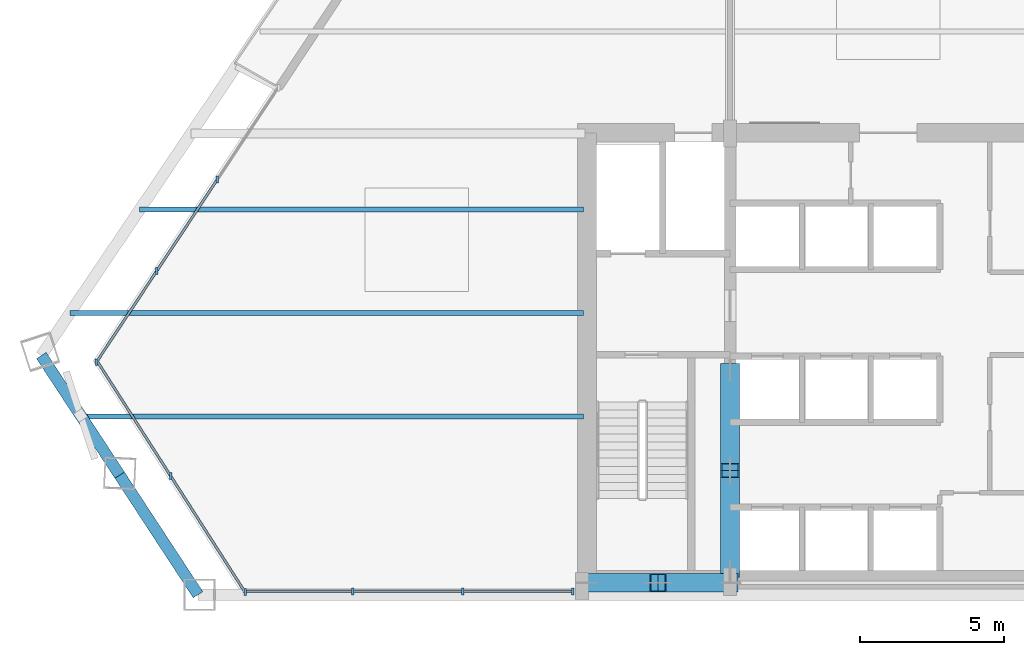
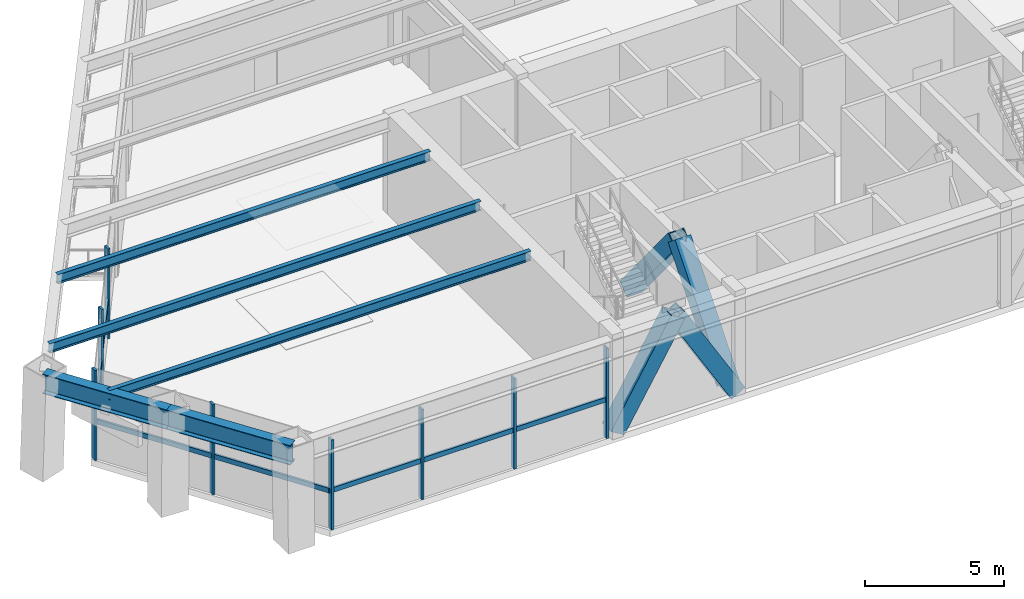
# One storey, part 2 of 12: 19 members, 5 beams, 3 elements without a shape of their own.
"""IFC4 building model written with IfcOpenShell, lengths in metres."""

from ifc_helpers import new_model, si_unit, direction, frame, origin, origin_2d, place, context, subcontext, project, spatial, rectangle, hollow_rectangle, i_section, extrude, source, transform, mapped, material, material_profile, profile_set, type_object, type_shapes, element, aggregate, save


model = new_model("IFC4")

# Units and contexts
model_context = context("Model", 3, precision=1e-05, world=origin(), true_north=direction((0.0, 1.0)))
body_context = subcontext(model_context, "Body", "Model", "MODEL_VIEW")
ifc_project = project(units=[si_unit("LENGTHUNIT", "METRE"), si_unit("AREAUNIT", "SQUARE_METRE"), si_unit("VOLUMEUNIT", "CUBIC_METRE"), si_unit("PLANEANGLEUNIT", "RADIAN"), si_unit("MASSUNIT", "GRAM", prefix="KILO")], contexts=[model_context])

# Site, building, storey
site_placement = place(None, origin())
site = spatial("IfcSite", under=ifc_project, at=site_placement, CompositionType="ELEMENT")
building_placement = place(site_placement, origin())
building = spatial("IfcBuilding", under=site, at=building_placement, Name="Varnakhor Terracotta Tower", CompositionType="ELEMENT")
storey_placement = place(building_placement, frame((0.0, 0.0, 121.0)))
storey = spatial("IfcBuildingStorey", under=building, at=storey_placement, Name="L30", CompositionType="ELEMENT", Elevation=121.0)

# Beams
ifc_material_1 = material(Name="Steel S355", Category="steel")
ifc_material_profile_1 = material_profile(ifc_material_1, i_section(OverallWidth=0.39990234375, OverallDepth=0.85498046875, WebThickness=0.01806640625, FlangeThickness=0.029052734375, FilletRadius=0.01806640625, at=origin_2d()), Name="W33X201")
ifc_profile_set_1 = profile_set([ifc_material_profile_1], Name="Steel S355")
beam_type_1 = type_object("IfcBeamType", Name="BM-W33X201", PredefinedType="BEAM", material=ifc_profile_set_1)
shared_shape_1 = source(origin(), body_context, "Body", "SweptSolid", [
    extrude(i_section(OverallWidth=0.39990234375, OverallDepth=0.85498046875, WebThickness=0.01806640625, FlangeThickness=0.029052734375, FilletRadius=0.01806640625, at=origin_2d()), origin(), (0.0, 0.0, 1.0), 4.97509765625),
])
beam_1_placement = place(storey_placement, frame((-29.46240234375, 8.323486328125, 3.9423828125), z_axis=(0.547898383878, -0.836544894757, 0.0), x_axis=(0.836544894757, 0.547898383878, 0.0)))
element("IfcBeam", 1, at=beam_1_placement, inside=storey, type_object=beam_type_1, Name="L30 Perimeter Spandrel 7", PredefinedType="BEAM", context=body_context, shape_type="MappedRepresentation", body=[
    mapped(shared_shape_1, transform((0.0, 0.0, 0.0), scale=1.0)),
])
shared_shape_2 = source(origin(), body_context, "Body", "SweptSolid", [
    extrude(i_section(OverallWidth=0.39990234375, OverallDepth=0.85498046875, WebThickness=0.01806640625, FlangeThickness=0.029052734375, FilletRadius=0.01806640625, at=origin_2d()), origin(), (0.0, 0.0, 1.0), 4.974609375),
])
beam_2_placement = place(storey_placement, frame((-26.736572265625, 4.16162109375, 3.9423828125), z_axis=(0.547886533604, -0.836552656021, 0.0), x_axis=(0.836552656021, 0.547886533604, 0.0)))
element("IfcBeam", 2, at=beam_2_placement, inside=storey, type_object=beam_type_1, Name="L30 Perimeter Spandrel 8", PredefinedType="BEAM", context=body_context, shape_type="MappedRepresentation", body=[
    mapped(shared_shape_2, transform((0.0, 0.0, 0.0), scale=1.0)),
])
ifc_material_profile_2 = material_profile(ifc_material_1, i_section(OverallWidth=0.179931640625, OverallDepth=0.4130859375, WebThickness=0.009765625, FlangeThickness=0.01611328125, FilletRadius=0.01806640625, at=origin_2d()), Name="W16X50")
ifc_profile_set_2 = profile_set([ifc_material_profile_2], Name="Steel S355")
beam_type_2 = type_object("IfcBeamType", Name="JST-W16X50", PredefinedType="JOIST", material=ifc_profile_set_2)
shared_shape_3 = source(origin(), body_context, "Body", "SweptSolid", [
    extrude(i_section(OverallWidth=0.179931640625, OverallDepth=0.4130859375, WebThickness=0.009765625, FlangeThickness=0.01611328125, FilletRadius=0.01806640625, at=origin_2d()), origin(), (0.0, 0.0, 1.0), 17.471435546875),
])
type_shapes(beam_type_2, [shared_shape_3])
beam_3_placement = place(storey_placement, frame((-28.071533203125, 6.199951171875, 4.16357421875), z_axis=(1.0, 0.0, 0.0), x_axis=(0.0, 1.0, 0.0)))
element("IfcBeam", 3, at=beam_3_placement, inside=storey, type_object=beam_type_2, Name="L30 Floor Joist W1", PredefinedType="JOIST", context=body_context, shape_type="MappedRepresentation", body=[
    mapped(shared_shape_3, transform((0.0, 0.0, 0.0), scale=1.0)),
])
shared_shape_4 = source(origin(), body_context, "Body", "SweptSolid", [
    extrude(i_section(OverallWidth=0.179931640625, OverallDepth=0.4130859375, WebThickness=0.009765625, FlangeThickness=0.01611328125, FilletRadius=0.01806640625, at=origin_2d()), origin(), (0.0, 0.0, 1.0), 17.8671875),
])
beam_4_placement = place(storey_placement, frame((-28.46728515625, 9.800048828125, 4.16357421875), z_axis=(1.0, 0.0, 0.0), x_axis=(0.0, 1.0, 0.0)))
element("IfcBeam", 4, at=beam_4_placement, inside=storey, type_object=beam_type_2, Name="L30 Floor Joist W2", PredefinedType="JOIST", context=body_context, shape_type="MappedRepresentation", body=[
    mapped(shared_shape_4, transform((0.0, 0.0, 0.0), scale=1.0)),
])
shared_shape_5 = source(origin(), body_context, "Body", "SweptSolid", [
    extrude(i_section(OverallWidth=0.179931640625, OverallDepth=0.4130859375, WebThickness=0.009765625, FlangeThickness=0.01611328125, FilletRadius=0.01806640625, at=origin_2d()), origin(), (0.0, 0.0, 1.0), 15.440673828125),
])
beam_5_placement = place(storey_placement, frame((-26.040771484375, 13.39990234375, 4.16357421875), z_axis=(1.0, 0.0, 0.0), x_axis=(0.0, 1.0, 0.0)))
element("IfcBeam", 5, at=beam_5_placement, inside=storey, type_object=beam_type_2, Name="L30 Floor Joist W3", PredefinedType="JOIST", context=body_context, shape_type="MappedRepresentation", body=[
    mapped(shared_shape_5, transform((0.0, 0.0, 0.0), scale=1.0)),
])

# Members
ifc_material_2 = material(Name="Steel S460", Category="steel")
ifc_material_profile_3 = material_profile(ifc_material_2, hollow_rectangle(XDim=0.64990234375, YDim=0.64990234375, WallThickness=0.0400390625, at=origin_2d()), Name="HSS650X650X40")
ifc_profile_set_3 = profile_set([ifc_material_profile_3], Name="Steel S460")
member_type_1 = type_object("IfcMemberType", Name="MBR-MEGA-650", PredefinedType="BRACE", material=ifc_profile_set_3)
shared_shape_6 = source(origin(), body_context, "Body", "SweptSolid", [
    extrude(hollow_rectangle(XDim=0.64990234375, YDim=0.64990234375, WallThickness=0.0400390625, at=origin_2d()), origin(), (0.0, 0.0, 1.0), 4.905029296875),
])
type_shapes(member_type_1, [shared_shape_6])
for number, where, z_axis, x_axis, name in (
    (6, (-10.5, 0.419921875, 0.0), (0.509693235521, 0.0, 0.860356208593), (0.0, 1.0, 0.0), "L30 Core Coupled Brace CSWA"),
    (7, (-5.5, 0.419921875, 0.0), (-0.509693235521, 0.0, 0.860356208593), (0.0, -1.0, 0.0), "L30 Core Coupled Brace CSWB"),
):
    element("IfcMember", number, at=place(storey_placement, frame(where, z_axis=z_axis, x_axis=x_axis)), inside=storey, type_object=member_type_1, Name=name, PredefinedType="BRACE", context=body_context, shape_type="MappedRepresentation", body=[
        mapped(shared_shape_6, transform((0.0, 0.0, 0.0), scale=1.0)),
    ])
shared_shape_7 = source(origin(), body_context, "Body", "SweptSolid", [
    extrude(hollow_rectangle(XDim=0.64990234375, YDim=0.64990234375, WallThickness=0.0400390625, at=origin_2d()), origin(), (0.0, 0.0, 1.0), 5.466552734375),
])
for number, where, z_axis, x_axis, name in (
    (8, (-5.5, 0.85009765625, 0.0), (0.0, 0.635661853954, 0.771967620712), (-1.0, 0.0, 0.0), "L30 Core Coupled Brace CWWA"),
    (9, (-5.5, 7.800048828125, 0.0), (0.0, -0.635688467906, 0.771945705196), (1.0, 0.0, 0.0), "L30 Core Coupled Brace CWWB"),
):
    element("IfcMember", number, at=place(storey_placement, frame(where, z_axis=z_axis, x_axis=x_axis)), inside=storey, type_object=member_type_1, Name=name, PredefinedType="BRACE", context=body_context, shape_type="MappedRepresentation", body=[
        mapped(shared_shape_7, transform((0.0, 0.0, 0.0), scale=1.0)),
    ])

# Curtain wall, members
ifc_material_3 = material(Name="Anodised Aluminium Curtain Wall System", Category="aluminium")
curtain_wall_type = type_object("IfcCurtainWallType", Name="CW-SYS-SKYLOBBY", PredefinedType="NOTDEFINED", material=ifc_material_3)
curtain_wall_1_placement = place(storey_placement, origin())
curtain_wall_1 = element("IfcCurtainWall", 10, at=curtain_wall_1_placement, inside=storey, type_object=curtain_wall_type, Name="L30 W Facet Curtain Wall 1", PredefinedType="NOTDEFINED")
ifc_material_4 = material(Name="Anodised Aluminium 6063-T6", Category="aluminium")
ifc_material_profile_4 = material_profile(ifc_material_4, rectangle(XDim=0.090087890625, YDim=0.239990234375, at=origin_2d()), Name="ALU MULLION 90x240")
ifc_profile_set_4 = profile_set([ifc_material_profile_4], Name="Anodised Aluminium 6063-T6")
member_type_2 = type_object("IfcMemberType", Name="CWM-05", PredefinedType="MULLION", material=ifc_profile_set_4)
shared_shape_8 = source(origin(), body_context, "Body", "SweptSolid", [
    extrude(rectangle(XDim=0.090087890625, YDim=0.239990234375, at=origin_2d()), origin(), (0.0, 0.0, 1.0), 3.949951171875),
])
type_shapes(member_type_2, [shared_shape_8])
member_1_placement = place(storey_placement, frame((-27.547119140625, 8.089111328125, 0.0), z_axis=(0.0, 0.0, 1.0), x_axis=(1.0, 0.0, 0.0)))
member_1 = element("IfcMember", 11, at=member_1_placement, type_object=member_type_2, Name="L30 W Facet Curtain Wall 1 Mullion 1", PredefinedType="MULLION", context=body_context, shape_type="MappedRepresentation", body=[
    mapped(shared_shape_8, transform((0.0, 0.0, 0.0), scale=1.0)),
])
member_2_placement = place(storey_placement, frame((-25.44384765625, 11.268310546875, 0.0), z_axis=(0.0, 0.0, 1.0), x_axis=(1.0, 0.0, 0.0)))
member_2 = element("IfcMember", 12, at=member_2_placement, type_object=member_type_2, Name="L30 W Facet Curtain Wall 1 Mullion 2", PredefinedType="MULLION", context=body_context, shape_type="MappedRepresentation", body=[
    mapped(shared_shape_8, transform((0.0, 0.0, 0.0), scale=1.0)),
])
member_3_placement = place(storey_placement, frame((-23.34033203125, 14.44775390625, 0.0), z_axis=(0.0, 0.0, 1.0), x_axis=(1.0, 0.0, 0.0)))
member_3 = element("IfcMember", 13, at=member_3_placement, type_object=member_type_2, Name="L30 W Facet Curtain Wall 1 Mullion 3", PredefinedType="MULLION", context=body_context, shape_type="MappedRepresentation", body=[
    mapped(shared_shape_8, transform((0.0, 0.0, 0.0), scale=1.0)),
])

curtain_wall_2_placement = place(storey_placement, origin())
curtain_wall_2 = element("IfcCurtainWall", 14, at=curtain_wall_2_placement, inside=storey, type_object=curtain_wall_type, Name="L30 South Wing Curtain Wall SSW", PredefinedType="NOTDEFINED")
member_4_placement = place(storey_placement, frame((-10.969970703125, 0.1201171875, 0.0), z_axis=(0.0, 0.0, 1.0), x_axis=(1.0, 0.0, 0.0)))
member_4 = element("IfcMember", 15, at=member_4_placement, type_object=member_type_2, Name="L30 South Wing Curtain Wall SSW Mullion 1", PredefinedType="MULLION", context=body_context, shape_type="MappedRepresentation", body=[
    mapped(shared_shape_8, transform((0.0, 0.0, 0.0), scale=1.0)),
])
member_5_placement = place(storey_placement, frame((-14.79638671875, 0.1201171875, 0.0), z_axis=(0.0, 0.0, 1.0), x_axis=(1.0, 0.0, 0.0)))
member_5 = element("IfcMember", 16, at=member_5_placement, type_object=member_type_2, Name="L30 South Wing Curtain Wall SSW Mullion 2", PredefinedType="MULLION", context=body_context, shape_type="MappedRepresentation", body=[
    mapped(shared_shape_8, transform((0.0, 0.0, 0.0), scale=1.0)),
])
member_6_placement = place(storey_placement, frame((-18.622802734375, 0.1201171875, 0.0), z_axis=(0.0, 0.0, 1.0), x_axis=(1.0, 0.0, 0.0)))
member_6 = element("IfcMember", 17, at=member_6_placement, type_object=member_type_2, Name="L30 South Wing Curtain Wall SSW Mullion 3", PredefinedType="MULLION", context=body_context, shape_type="MappedRepresentation", body=[
    mapped(shared_shape_8, transform((0.0, 0.0, 0.0), scale=1.0)),
])

curtain_wall_3_placement = place(storey_placement, origin())
curtain_wall_3 = element("IfcCurtainWall", 18, at=curtain_wall_3_placement, inside=storey, type_object=curtain_wall_type, Name="L30 Facet Curtain Wall 6", PredefinedType="NOTDEFINED")
member_7_placement = place(storey_placement, frame((-22.374267578125, 0.090087890625, 0.0), z_axis=(0.0, 0.0, 1.0), x_axis=(1.0, 0.0, 0.0)))
member_7 = element("IfcMember", 19, at=member_7_placement, type_object=member_type_2, Name="L30 Facet Curtain Wall 6 Mullion 1", PredefinedType="MULLION", context=body_context, shape_type="MappedRepresentation", body=[
    mapped(shared_shape_8, transform((0.0, 0.0, 0.0), scale=1.0)),
])
member_8_placement = place(storey_placement, frame((-24.96044921875, 4.1298828125, 0.0), z_axis=(0.0, 0.0, 1.0), x_axis=(1.0, 0.0, 0.0)))
member_8 = element("IfcMember", 20, at=member_8_placement, type_object=member_type_2, Name="L30 Facet Curtain Wall 6 Mullion 2", PredefinedType="MULLION", context=body_context, shape_type="MappedRepresentation", body=[
    mapped(shared_shape_8, transform((0.0, 0.0, 0.0), scale=1.0)),
])

# Member
ifc_material_profile_5 = material_profile(ifc_material_4, rectangle(XDim=0.090087890625, YDim=0.2099609375, at=origin_2d()), Name="ALU TRANSOM 90x210")
ifc_profile_set_5 = profile_set([ifc_material_profile_5], Name="Anodised Aluminium 6063-T6")
member_type_3 = type_object("IfcMemberType", Name="CWT-05", PredefinedType="USERDEFINED", material=ifc_profile_set_5)
shared_shape_9 = source(origin(), body_context, "Body", "SweptSolid", [
    extrude(rectangle(XDim=0.090087890625, YDim=0.2099609375, at=origin_2d()), origin(), (0.0, 0.0, 1.0), 3.81201171875),
])
type_shapes(member_type_3, [shared_shape_9])
member_9_placement = place(storey_placement, frame((-27.547119140625, 8.089111328125, 1.658935546875), z_axis=(0.551755545235, 0.834005886251, 0.0), x_axis=(-0.834005886251, 0.551755545235, 0.0)))
member_9 = element("IfcMember", 21, at=member_9_placement, type_object=member_type_3, Name="L30 W Facet Curtain Wall 1 Transom 1", ObjectType="TRANSOM", PredefinedType="USERDEFINED", context=body_context, shape_type="MappedRepresentation", body=[
    mapped(shared_shape_9, transform((0.0, 0.0, 0.0), scale=1.0)),
])

shared_shape_10 = source(origin(), body_context, "Body", "SweptSolid", [
    extrude(rectangle(XDim=0.090087890625, YDim=0.2099609375, at=origin_2d()), origin(), (0.0, 0.0, 1.0), 3.812255859375),
])
member_10_placement = place(storey_placement, frame((-25.44384765625, 11.268310546875, 1.658935546875), z_axis=(0.551770620116, 0.833995912926, 0.0), x_axis=(-0.833995912926, 0.551770620116, 0.0)))
member_10 = element("IfcMember", 22, at=member_10_placement, type_object=member_type_3, Name="L30 W Facet Curtain Wall 1 Transom 2", ObjectType="TRANSOM", PredefinedType="USERDEFINED", context=body_context, shape_type="MappedRepresentation", body=[
    mapped(shared_shape_10, transform((0.0, 0.0, 0.0), scale=1.0)),
])

aggregate(curtain_wall_1, [member_1, member_9, member_2, member_10, member_3])

shared_shape_11 = source(origin(), body_context, "Body", "SweptSolid", [
    extrude(rectangle(XDim=0.090087890625, YDim=0.2099609375, at=origin_2d()), origin(), (0.0, 0.0, 1.0), 3.826416015625),
])
member_11_placement = place(storey_placement, frame((-10.969970703125, 0.1201171875, 1.658935546875), z_axis=(-1.0, 0.0, 0.0), x_axis=(0.0, -1.0, 0.0)))
member_11 = element("IfcMember", 23, at=member_11_placement, type_object=member_type_3, Name="L30 South Wing Curtain Wall SSW Transom 1", ObjectType="TRANSOM", PredefinedType="USERDEFINED", context=body_context, shape_type="MappedRepresentation", body=[
    mapped(shared_shape_11, transform((0.0, 0.0, 0.0), scale=1.0)),
])

member_12_placement = place(storey_placement, frame((-14.79638671875, 0.1201171875, 1.658935546875), z_axis=(-1.0, 0.0, 0.0), x_axis=(0.0, -1.0, 0.0)))
member_12 = element("IfcMember", 24, at=member_12_placement, type_object=member_type_3, Name="L30 South Wing Curtain Wall SSW Transom 2", ObjectType="TRANSOM", PredefinedType="USERDEFINED", context=body_context, shape_type="MappedRepresentation", body=[
    mapped(shared_shape_11, transform((0.0, 0.0, 0.0), scale=1.0)),
])

member_13_placement = place(storey_placement, frame((-18.622802734375, 0.1201171875, 1.658935546875), z_axis=(-1.0, 0.0, 0.0), x_axis=(0.0, -1.0, 0.0)))
member_13 = element("IfcMember", 25, at=member_13_placement, type_object=member_type_3, Name="L30 South Wing Curtain Wall SSW Transom 3", ObjectType="TRANSOM", PredefinedType="USERDEFINED", context=body_context, shape_type="MappedRepresentation", body=[
    mapped(shared_shape_11, transform((0.0, 0.0, 0.0), scale=1.0)),
])

aggregate(curtain_wall_2, [member_4, member_11, member_5, member_12, member_6, member_13])

shared_shape_12 = source(origin(), body_context, "Body", "SweptSolid", [
    extrude(rectangle(XDim=0.090087890625, YDim=0.2099609375, at=origin_2d()), origin(), (0.0, 0.0, 1.0), 4.796630859375),
])
member_14_placement = place(storey_placement, frame((-22.374267578125, 0.090087890625, 1.658935546875), z_axis=(-0.539159127236, 0.842203915639, 0.0), x_axis=(-0.842203915639, -0.539159127236, 0.0)))
member_14 = element("IfcMember", 26, at=member_14_placement, type_object=member_type_3, Name="L30 Facet Curtain Wall 6 Transom 1", ObjectType="TRANSOM", PredefinedType="USERDEFINED", context=body_context, shape_type="MappedRepresentation", body=[
    mapped(shared_shape_12, transform((0.0, 0.0, 0.0), scale=1.0)),
])

member_15_placement = place(storey_placement, frame((-24.96044921875, 4.1298828125, 1.658935546875), z_axis=(-0.539159127236, 0.842203915639, 0.0), x_axis=(-0.842203915639, -0.539159127236, 0.0)))
member_15 = element("IfcMember", 27, at=member_15_placement, type_object=member_type_3, Name="L30 Facet Curtain Wall 6 Transom 2", ObjectType="TRANSOM", PredefinedType="USERDEFINED", context=body_context, shape_type="MappedRepresentation", body=[
    mapped(shared_shape_12, transform((0.0, 0.0, 0.0), scale=1.0)),
])

aggregate(curtain_wall_3, [member_7, member_14, member_8, member_15])

save(model, "model.ifc")
